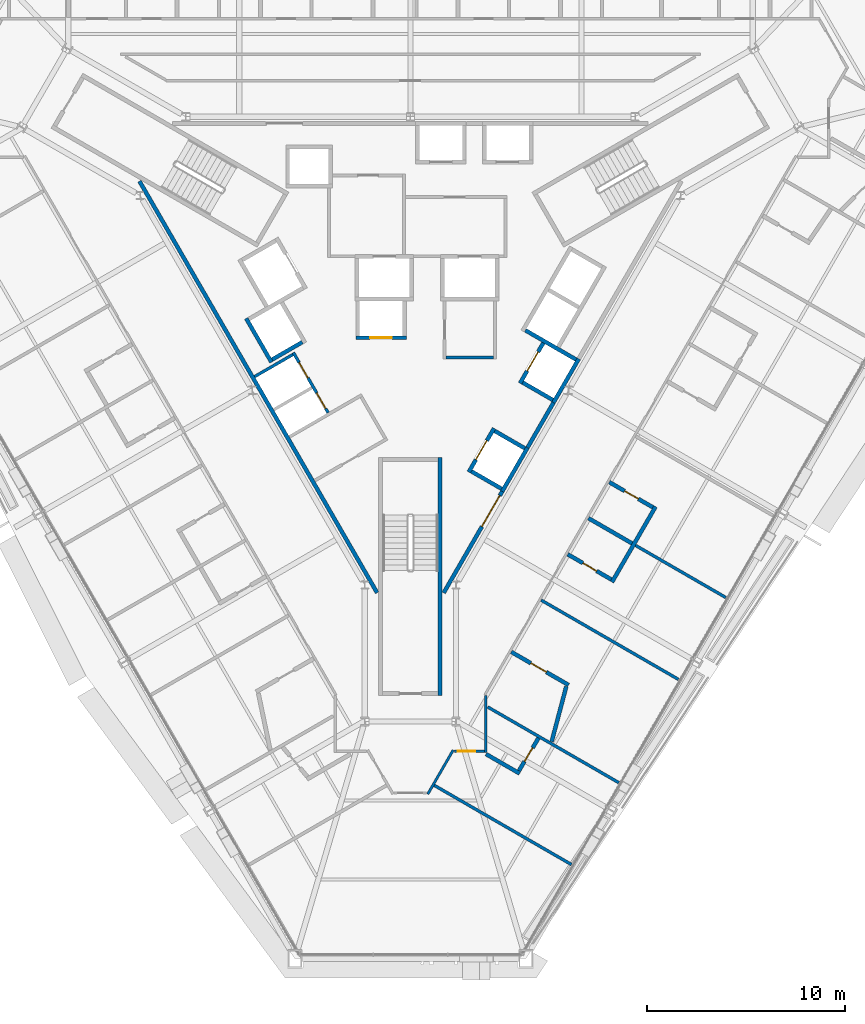
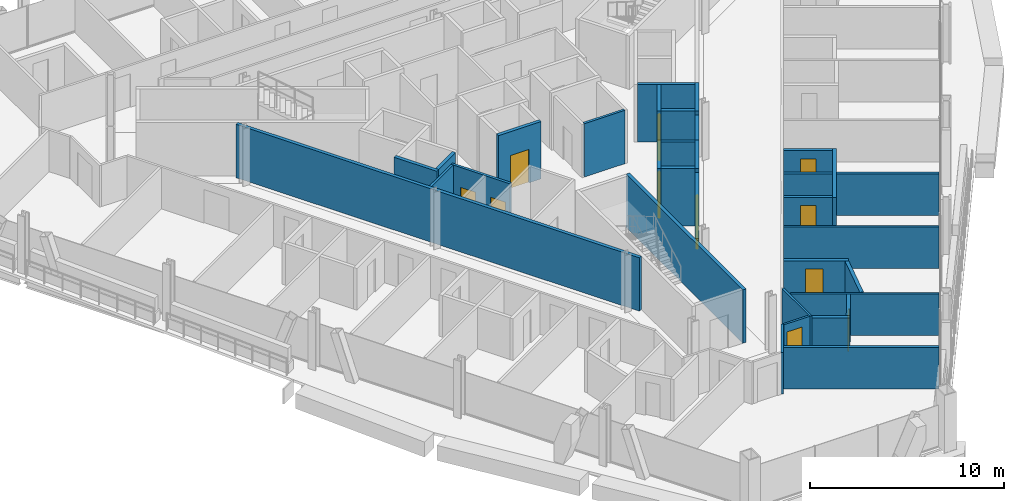
# One storey, part 12 of 18: 33 walls, 11 doors, 11 openings.
"""IFC4 building model written with IfcOpenShell, lengths in metres."""

from ifc_helpers import new_model, si_unit, direction, frame, frame_2d, origin, place, context, subcontext, project, spatial, rectangle, extrude, material, layer, layer_set, type_object, element, fill, save


model = new_model("IFC4")

# Units and contexts
model_context = context("Model", 3, precision=1e-05, world=origin(), true_north=direction((0.0, 1.0)))
body_context = subcontext(model_context, "Body", "Model", "MODEL_VIEW")
ifc_project = project(units=[si_unit("LENGTHUNIT", "METRE"), si_unit("AREAUNIT", "SQUARE_METRE"), si_unit("VOLUMEUNIT", "CUBIC_METRE"), si_unit("PLANEANGLEUNIT", "RADIAN"), si_unit("MASSUNIT", "GRAM", prefix="KILO")], contexts=[model_context])

# Site, building, storey
site_placement = place(None, origin())
site = spatial("IfcSite", under=ifc_project, at=site_placement, CompositionType="ELEMENT")
building_placement = place(site_placement, origin())
building = spatial("IfcBuilding", under=site, at=building_placement, Name="Verrane Prism Tower", CompositionType="ELEMENT")
storey_placement = place(building_placement, frame((0.0, 0.0, 80.0)))
storey = spatial("IfcBuildingStorey", under=building, at=storey_placement, Name="L18", CompositionType="ELEMENT", Elevation=80.0)

# Wall
ifc_material_1 = material(Name="Gypsum board partition", Category="other")
ifc_layer_1 = layer(ifc_material_1, 0.199951171875)
ifc_layer_set_1 = layer_set([ifc_layer_1], Name="CW-200 core boundary wall 2 h")
wall_type_1 = type_object("IfcWallType", Name="CW-200 core boundary wall 2 h", PredefinedType="PARTITIONING", material=ifc_layer_set_1)
wall_1_placement = place(storey_placement, frame((-13.66357421875, 5.946044921875, 0.0), z_axis=(0.0, 0.0, 1.0), x_axis=(0.499994327219, -0.866028678941, 0.0)))
element("IfcWall", 1, at=wall_1_placement, inside=storey, type_object=wall_type_1, Name="Core boundary wall CW3-001", PredefinedType="PARTITIONING", context=body_context, shape_type="SweptSolid", body=[
    extrude(rectangle(XDim=23.967529296875, YDim=0.199951171875, at=frame_2d((11.98388671875, 0.0))), origin(), (0.0, 0.0, 1.0), 3.35009765625),
])

# Wall, opening, door
wall_2_placement = place(storey_placement, frame((1.677490234375, -14.814697265625, 0.0), z_axis=(0.0, 0.0, 1.0), x_axis=(0.49999445743, 0.866028603765, 0.0)))
wall_2 = element("IfcWall", 2, at=wall_2_placement, inside=storey, type_object=wall_type_1, Name="Core boundary wall CW3-003", PredefinedType="PARTITIONING", context=body_context, shape_type="SweptSolid", body=[
    extrude(rectangle(XDim=5.90478515625, YDim=0.199951171875, at=frame_2d((2.952392578125, 0.0))), origin(), (0.0, 0.0, 1.0), 3.35009765625),
])
opening_1_placement = place(wall_2_placement, frame((3.85498046875, 0.0, 0.0)))
opening_1 = element("IfcOpeningElement", 3, at=opening_1_placement, cuts=wall_2, Name="Opening D17517", PredefinedType="OPENING", context=body_context, shape_type="SweptSolid", body=[
    extrude(rectangle(XDim=1.800048828125, YDim=2.10009765625, at=frame_2d((0.89990234375, 1.050048828125))), frame((0.0, 0.10986328125, 0.0), z_axis=(0.0, -1.0, 0.0), x_axis=(1.0, 0.0, 0.0)), (0.0, 0.0, 1.0), 0.219970703125),
])
ifc_material_2 = material(Name="Timber veneered door leaf", Category="wood")
door_type_1 = type_object("IfcDoorType", Name="DR-1800x2100 FD60 double leaf lift lobby", OperationType="NOTDEFINED", PredefinedType="DOOR", material=ifc_material_2)
door_1_placement = place(opening_1_placement, origin())
door_1 = element("IfcDoor", 4, at=door_1_placement, inside=storey, type_object=door_type_1, Name="Lift lobby door D17517", OperationType="DOUBLE_DOOR_SINGLE_SWING", OverallHeight=2.10009765625, OverallWidth=1.800048828125, PredefinedType="DOOR", context=body_context, shape_type="SweptSolid", body=[
    extrude(rectangle(XDim=1.800048828125, YDim=2.10009765625, at=frame_2d((0.89990234375, 1.050048828125))), frame((0.0, 0.02490234375, 0.0), z_axis=(0.0, -1.0, 0.0), x_axis=(1.0, 0.0, 0.0)), (0.0, 0.0, 1.0), 0.050048828125),
])
fill(opening_1, door_1)

# Walls
wall_3_placement = place(storey_placement, frame((5.906005859375, -7.489990234375, 0.0), z_axis=(0.0, 0.0, 1.0), x_axis=(0.500252727967, 0.865879442048, 0.0)))
element("IfcWall", 5, at=wall_3_placement, inside=storey, type_object=wall_type_1, Name="Core boundary wall CW3-005", PredefinedType="PARTITIONING", context=body_context, shape_type="SweptSolid", body=[
    extrude(rectangle(XDim=2.616943359375, YDim=0.199951171875, at=frame_2d((1.30859375, 0.0))), origin(), (0.0, 0.0, 1.0), 3.35009765625),
])
ifc_material_3 = material(Name="Concrete C40/50", Category="concrete")
ifc_layer_2 = layer(ifc_material_3, 0.199951171875)
ifc_layer_set_2 = layer_set([ifc_layer_2], Name="CW-200 stair core wall concrete C40/50 3 h")
wall_type_2 = type_object("IfcWallType", Name="CW-200 stair core wall concrete C40/50 3 h", PredefinedType="PARTITIONING", material=ifc_layer_set_2)
wall_4_placement = place(storey_placement, frame((1.5, -8.0, 0.0), z_axis=(0.0, 0.0, 1.0), x_axis=(0.0, -1.0, 0.0)))
element("IfcWall", 6, at=wall_4_placement, inside=storey, type_object=wall_type_2, Name="Stair 3 enclosure wall", PredefinedType="PARTITIONING", context=body_context, shape_type="SweptSolid", body=[
    extrude(rectangle(XDim=12.0, YDim=0.199951171875, at=frame_2d((6.0, 0.0))), origin(), (0.0, 0.0, 1.0), 3.35009765625),
])

# Wall, opening, door
ifc_material_4 = material(Name="Gypsum board shaft wall assembly", Category="other")
ifc_layer_3 = layer(ifc_material_4, 0.199951171875)
ifc_layer_set_3 = layer_set([ifc_layer_3], Name="HW-200 lift shaft wall 2 h")
wall_type_3 = type_object("IfcWallType", Name="HW-200 lift shaft wall 2 h", PredefinedType="PARTITIONING", material=ifc_layer_set_3)
wall_5_placement = place(storey_placement, frame((-2.7548828125, -1.949951171875, 0.0), z_axis=(0.0, 0.0, 1.0), x_axis=(1.0, 0.0, 0.0)))
wall_5 = element("IfcWall", 7, at=wall_5_placement, inside=storey, type_object=wall_type_3, Name="Lift shaft wall", PredefinedType="PARTITIONING", context=body_context, shape_type="SweptSolid", body=[
    extrude(rectangle(XDim=2.5498046875, YDim=0.199951171875, at=frame_2d((1.27490234375, 0.0))), origin(), (0.0, 0.0, 1.0), 3.60009765625),
])
opening_2_placement = place(wall_5_placement, frame((0.72509765625, 0.0, 0.0)))
opening_2 = element("IfcOpeningElement", 8, at=opening_2_placement, cuts=wall_5, Name="Opening D17504", PredefinedType="OPENING", context=body_context, shape_type="SweptSolid", body=[
    extrude(rectangle(XDim=1.10009765625, YDim=2.10009765625, at=frame_2d((0.550048828125, 1.050048828125))), frame((0.0, 0.10986328125, 0.0), z_axis=(0.0, -1.0, 0.0), x_axis=(1.0, 0.0, 0.0)), (0.0, 0.0, 1.0), 0.219970703125),
])
ifc_material_5 = material(Name="Stainless steel sliding landing door", Category="steel")
door_type_2 = type_object("IfcDoorType", Name="LD-1100x2100 lift landing door FD90 sliding", OperationType="NOTDEFINED", PredefinedType="DOOR", material=ifc_material_5)
door_2_placement = place(opening_2_placement, origin())
door_2 = element("IfcDoor", 9, at=door_2_placement, inside=storey, type_object=door_type_2, Name="Bank A lift 2 landing door", OperationType="SLIDING_TO_RIGHT", OverallHeight=2.10009765625, OverallWidth=1.10009765625, PredefinedType="DOOR", context=body_context, shape_type="SweptSolid", body=[
    extrude(rectangle(XDim=1.10009765625, YDim=2.10009765625, at=frame_2d((0.550048828125, 1.050048828125))), frame((0.0, 0.02490234375, 0.0), z_axis=(0.0, -1.0, 0.0), x_axis=(1.0, 0.0, 0.0)), (0.0, 0.0, 1.0), 0.050048828125),
])
fill(opening_2, door_2)

# Walls
wall_6_placement = place(storey_placement, frame((-6.9697265625, -3.048095703125, 0.0), z_axis=(0.0, 0.0, 1.0), x_axis=(0.866036909293, 0.499980071345, 0.0)))
element("IfcWall", 10, at=wall_6_placement, inside=storey, type_object=wall_type_3, Name="Lift shaft wall", PredefinedType="PARTITIONING", context=body_context, shape_type="SweptSolid", body=[
    extrude(rectangle(XDim=1.75, YDim=0.199951171875, at=frame_2d((0.875, 0.0))), origin(), (0.0, 0.0, 1.0), 3.60009765625),
])
wall_7_placement = place(storey_placement, frame((4.63037109375, -9.69970703125, 0.0), z_axis=(0.0, 0.0, 1.0), x_axis=(0.500062241894, 0.865989465428, 0.0)))
element("IfcWall", 11, at=wall_7_placement, inside=storey, type_object=wall_type_3, Name="Lift shaft wall", PredefinedType="PARTITIONING", context=body_context, shape_type="SweptSolid", body=[
    extrude(rectangle(XDim=2.550048828125, YDim=0.199951171875, at=frame_2d((1.27490234375, 0.0))), origin(), (0.0, 0.0, 1.0), 3.60009765625),
])
wall_8_placement = place(storey_placement, frame((7.215576171875, -5.222412109375, 0.0), z_axis=(0.0, 0.0, 1.0), x_axis=(0.499990435942, 0.866030925526, 0.0)))
element("IfcWall", 12, at=wall_8_placement, inside=storey, type_object=wall_type_3, Name="Lift shaft wall", PredefinedType="PARTITIONING", context=body_context, shape_type="SweptSolid", body=[
    extrude(rectangle(XDim=2.5498046875, YDim=0.199951171875, at=frame_2d((1.27490234375, 0.0))), origin(), (0.0, 0.0, 1.0), 3.60009765625),
])

# Wall, opening, door
wall_9_placement = place(storey_placement, frame((2.941650390625, -8.724853515625, 0.0), z_axis=(0.0, 0.0, 1.0), x_axis=(0.500020783669, 0.866013403995, 0.0)))
wall_9 = element("IfcWall", 13, at=wall_9_placement, inside=storey, type_object=wall_type_3, Name="Lift shaft wall", PredefinedType="PARTITIONING", context=body_context, shape_type="SweptSolid", body=[
    extrude(rectangle(XDim=2.55029296875, YDim=0.199951171875, at=frame_2d((1.275146484375, 0.0))), origin(), (0.0, 0.0, 1.0), 3.60009765625),
])
opening_3_placement = place(wall_9_placement, frame((0.72509765625, 0.0, 0.0)))
opening_3 = element("IfcOpeningElement", 14, at=opening_3_placement, cuts=wall_9, Name="Opening D17506", PredefinedType="OPENING", context=body_context, shape_type="SweptSolid", body=[
    extrude(rectangle(XDim=1.10009765625, YDim=2.10009765625, at=frame_2d((0.550048828125, 1.050048828125))), frame((0.0, 0.10986328125, 0.0), z_axis=(0.0, -1.0, 0.0), x_axis=(1.0, 0.0, 0.0)), (0.0, 0.0, 1.0), 0.219970703125),
])
door_3_placement = place(opening_3_placement, origin())
door_3 = element("IfcDoor", 15, at=door_3_placement, inside=storey, type_object=door_type_2, Name="Bank A lift 4 landing door", OperationType="SLIDING_TO_RIGHT", OverallHeight=2.10009765625, OverallWidth=1.10009765625, PredefinedType="DOOR", context=body_context, shape_type="SweptSolid", body=[
    extrude(rectangle(XDim=1.10009765625, YDim=2.10009765625, at=frame_2d((0.550048828125, 1.050048828125))), frame((0.0, 0.02490234375, 0.0), z_axis=(0.0, -1.0, 0.0), x_axis=(1.0, 0.0, 0.0)), (0.0, 0.0, 1.0), 0.050048828125),
])
fill(opening_3, door_3)

wall_10_placement = place(storey_placement, frame((5.52685546875, -4.247314453125, 0.0), z_axis=(0.0, 0.0, 1.0), x_axis=(0.499938297808, 0.866061024631, 0.0)))
wall_10 = element("IfcWall", 16, at=wall_10_placement, inside=storey, type_object=wall_type_3, Name="Lift shaft wall", PredefinedType="PARTITIONING", context=body_context, shape_type="SweptSolid", body=[
    extrude(rectangle(XDim=2.349853515625, YDim=0.199951171875, at=frame_2d((1.1748046875, 0.0))), origin(), (0.0, 0.0, 1.0), 3.60009765625),
])
opening_4_placement = place(wall_10_placement, frame((0.72509765625, 0.0, 0.0)))
opening_4 = element("IfcOpeningElement", 17, at=opening_4_placement, cuts=wall_10, Name="Opening D17507", PredefinedType="OPENING", context=body_context, shape_type="SweptSolid", body=[
    extrude(rectangle(XDim=1.10009765625, YDim=2.10009765625, at=frame_2d((0.550048828125, 1.050048828125))), frame((0.0, 0.10986328125, 0.0), z_axis=(0.0, -1.0, 0.0), x_axis=(1.0, 0.0, 0.0)), (0.0, 0.0, 1.0), 0.219970703125),
])
door_4_placement = place(opening_4_placement, origin())
door_4 = element("IfcDoor", 18, at=door_4_placement, inside=storey, type_object=door_type_2, Name="Bank A lift 5 landing door", OperationType="SLIDING_TO_LEFT", OverallHeight=2.10009765625, OverallWidth=1.10009765625, PredefinedType="DOOR", context=body_context, shape_type="SweptSolid", body=[
    extrude(rectangle(XDim=1.10009765625, YDim=2.10009765625, at=frame_2d((0.550048828125, 1.050048828125))), frame((0.0, 0.02490234375, 0.0), z_axis=(0.0, -1.0, 0.0), x_axis=(1.0, 0.0, 0.0)), (0.0, 0.0, 1.0), 0.050048828125),
])
fill(opening_4, door_4)

# Walls
wall_11_placement = place(storey_placement, frame((-7.00634765625, -3.184814453125, 0.0), z_axis=(0.0, 0.0, 1.0), x_axis=(-0.499990435942, 0.866030925526, 0.0)))
element("IfcWall", 19, at=wall_11_placement, inside=storey, type_object=wall_type_3, Name="Lift shaft wall", PredefinedType="PARTITIONING", context=body_context, shape_type="SweptSolid", body=[
    extrude(rectangle(XDim=2.5498046875, YDim=0.199951171875, at=frame_2d((1.27490234375, 0.0))), origin(), (0.0, 0.0, 1.0), 3.60009765625),
])
wall_12_placement = place(storey_placement, frame((8.35400390625, -3.050537109375, 0.0), z_axis=(0.0, 0.0, 1.0), x_axis=(-0.866060182126, 0.499939757307, 0.0)))
element("IfcWall", 20, at=wall_12_placement, inside=storey, type_object=wall_type_3, Name="Lift shaft wall", PredefinedType="PARTITIONING", context=body_context, shape_type="SweptSolid", body=[
    extrude(rectangle(XDim=2.949951171875, YDim=0.199951171875, at=frame_2d((1.47509765625, 0.0))), origin(), (0.0, 0.0, 1.0), 3.60009765625),
])
wall_13_placement = place(storey_placement, frame((7.178955078125, -5.085693359375, 0.0), z_axis=(0.0, 0.0, 1.0), x_axis=(-0.866036909293, 0.499980071345, 0.0)))
element("IfcWall", 21, at=wall_13_placement, inside=storey, type_object=wall_type_3, Name="Lift shaft wall", PredefinedType="PARTITIONING", context=body_context, shape_type="SweptSolid", body=[
    extrude(rectangle(XDim=1.75, YDim=0.199951171875, at=frame_2d((0.875, 0.0))), origin(), (0.0, 0.0, 1.0), 3.60009765625),
])
wall_14_placement = place(storey_placement, frame((5.768798828125, -7.528076171875, 0.0), z_axis=(0.0, 0.0, 1.0), x_axis=(-0.866002029911, 0.500040482552, 0.0)))
element("IfcWall", 22, at=wall_14_placement, inside=storey, type_object=wall_type_3, Name="Lift shaft wall", PredefinedType="PARTITIONING", context=body_context, shape_type="SweptSolid", body=[
    extrude(rectangle(XDim=1.749755859375, YDim=0.199951171875, at=frame_2d((0.875, 0.0))), origin(), (0.0, 0.0, 1.0), 3.60009765625),
])
wall_15_placement = place(storey_placement, frame((4.593994140625, -9.563232421875, 0.0), z_axis=(0.0, 0.0, 1.0), x_axis=(-0.866036909293, 0.499980071345, 0.0)))
element("IfcWall", 23, at=wall_15_placement, inside=storey, type_object=wall_type_3, Name="Lift shaft wall", PredefinedType="PARTITIONING", context=body_context, shape_type="SweptSolid", body=[
    extrude(rectangle(XDim=1.75, YDim=0.199951171875, at=frame_2d((0.875, 0.0))), origin(), (0.0, 0.0, 1.0), 3.60009765625),
])
ifc_material_6 = material(Name="Gypsum board partition", Category="other")
ifc_layer_4 = layer(ifc_material_6, 0.125)
ifc_layer_set_4 = layer_set([ifc_layer_4], Name="PW-125 corridor wall 1 h")
wall_type_4 = type_object("IfcWallType", Name="PW-125 corridor wall 1 h", PredefinedType="PARTITIONING", material=ifc_layer_set_4)
wall_16_placement = place(storey_placement, frame((0.876708984375, -24.962158203125, 0.0), z_axis=(0.0, 0.0, 1.0), x_axis=(0.500063308241, 0.865988849669, 0.0)))
element("IfcWall", 24, at=wall_16_placement, inside=storey, type_object=wall_type_4, Name="Corridor wall 049", PredefinedType="PARTITIONING", context=body_context, shape_type="SweptSolid", body=[
    extrude(rectangle(XDim=2.562744140625, YDim=0.125, at=frame_2d((1.28125, 0.0))), origin(), (0.0, 0.0, 1.0), 2.613037109375),
])

# Wall, opening, door
wall_17_placement = place(storey_placement, frame((3.73193359375, -22.797119140625, 0.0), z_axis=(0.0, 0.0, 1.0), x_axis=(-1.0, 0.0, 0.0)))
wall_17 = element("IfcWall", 25, at=wall_17_placement, inside=storey, type_object=wall_type_4, Name="Corridor wall 051", PredefinedType="PARTITIONING", context=body_context, shape_type="SweptSolid", body=[
    extrude(rectangle(XDim=1.52001953125, YDim=0.125, at=frame_2d((0.760009765625, 0.0))), origin(), (0.0, 0.0, 1.0), 2.613037109375),
])
opening_5_placement = place(wall_17_placement, frame((0.455078125, 0.0, 0.0)))
opening_5 = element("IfcOpeningElement", 26, at=opening_5_placement, cuts=wall_17, Name="Opening D17001", PredefinedType="OPENING", context=body_context, shape_type="SweptSolid", body=[
    extrude(rectangle(XDim=0.89990234375, YDim=2.10009765625, at=frame_2d((0.449951171875, 1.050048828125))), frame((0.0, 0.072509765625, 0.0), z_axis=(0.0, -1.0, 0.0), x_axis=(1.0, 0.0, 0.0)), (0.0, 0.0, 1.0), 0.14501953125),
])
ifc_material_7 = material(Name="Timber veneered door leaf", Category="wood")
door_type_3 = type_object("IfcDoorType", Name="DR-900x2100 FD20 single leaf unit", OperationType="NOTDEFINED", PredefinedType="DOOR", material=ifc_material_7)
door_5_placement = place(opening_5_placement, origin())
door_5 = element("IfcDoor", 27, at=door_5_placement, inside=storey, type_object=door_type_3, Name="Guest Room door", OperationType="SINGLE_SWING_LEFT", OverallHeight=2.10009765625, OverallWidth=0.89990234375, PredefinedType="DOOR", context=body_context, shape_type="SweptSolid", body=[
    extrude(rectangle(XDim=0.89990234375, YDim=2.10009765625, at=frame_2d((0.449951171875, 1.050048828125))), frame((0.0, 0.02490234375, 0.0), z_axis=(0.0, -1.0, 0.0), x_axis=(1.0, 0.0, 0.0)), (0.0, 0.0, 1.0), 0.050048828125),
])
fill(opening_5, door_5)

# Walls
wall_18_placement = place(storey_placement, frame((3.797119140625, -22.859619140625, 0.0), z_axis=(0.0, 0.0, 1.0), x_axis=(0.0, 1.0, 0.0)))
element("IfcWall", 28, at=wall_18_placement, inside=storey, type_object=wall_type_4, Name="Corridor wall 054", PredefinedType="PARTITIONING", context=body_context, shape_type="SweptSolid", body=[
    extrude(rectangle(XDim=2.87060546875, YDim=0.125, at=frame_2d((1.435302734375, 0.0))), origin(), (0.0, 0.0, 1.0), 2.613037109375),
])
ifc_material_8 = material(Name="Gypsum board partition", Category="other")
ifc_layer_5 = layer(ifc_material_8, 0.14990234375)
ifc_layer_set_5 = layer_set([ifc_layer_5], Name="PW-150 demising wall 1 h")
wall_type_5 = type_object("IfcWallType", Name="PW-150 demising wall 1 h", PredefinedType="PARTITIONING", material=ifc_layer_set_5)
wall_19_placement = place(storey_placement, frame((1.203125, -24.522216796875, 0.0), z_axis=(0.0, 0.0, 1.0), x_axis=(0.866021771655, -0.500006290979, 0.0)))
element("IfcWall", 29, at=wall_19_placement, inside=storey, type_object=wall_type_5, Name="Demising wall 050", PredefinedType="PARTITIONING", context=body_context, shape_type="SweptSolid", body=[
    extrude(rectangle(XDim=7.99169921875, YDim=0.14990234375, at=frame_2d((3.995849609375, 0.0))), origin(), (0.0, 0.0, 1.0), 2.613037109375),
])
wall_20_placement = place(storey_placement, frame((3.89697265625, -20.56982421875, 0.0), z_axis=(0.0, 0.0, 1.0), x_axis=(0.866030628547, -0.499990950336, 0.0)))
element("IfcWall", 30, at=wall_20_placement, inside=storey, type_object=wall_type_5, Name="Demising wall 055", PredefinedType="PARTITIONING", context=body_context, shape_type="SweptSolid", body=[
    extrude(rectangle(XDim=7.635009765625, YDim=0.14990234375, at=frame_2d((3.8173828125, 0.0))), origin(), (0.0, 0.0, 1.0), 2.613037109375),
])
wall_21_placement = place(storey_placement, frame((6.59521484375, -15.183349609375, 0.0), z_axis=(0.0, 0.0, 1.0), x_axis=(0.866014133745, -0.500019519773, 0.0)))
element("IfcWall", 31, at=wall_21_placement, inside=storey, type_object=wall_type_5, Name="Demising wall 060", PredefinedType="PARTITIONING", context=body_context, shape_type="SweptSolid", body=[
    extrude(rectangle(XDim=7.991455078125, YDim=0.14990234375, at=frame_2d((3.99560546875, 0.0))), origin(), (0.0, 0.0, 1.0), 2.613037109375),
])
wall_22_placement = place(storey_placement, frame((11.35498046875, -12.423583984375, 0.0), z_axis=(0.0, 0.0, 1.0), x_axis=(0.866030680601, -0.499990860175, 0.0)))
element("IfcWall", 32, at=wall_22_placement, inside=storey, type_object=wall_type_5, Name="Demising wall 070", PredefinedType="PARTITIONING", context=body_context, shape_type="SweptSolid", body=[
    extrude(rectangle(XDim=5.2490234375, YDim=0.14990234375, at=frame_2d((2.62451171875, 0.0))), origin(), (0.0, 0.0, 1.0), 2.613037109375),
])
ifc_material_9 = material(Name="Gypsum board partition", Category="other")
ifc_layer_6 = layer(ifc_material_9, 0.199951171875)
ifc_layer_set_6 = layer_set([ifc_layer_6], Name="PW-200 plumbing wall")
wall_type_6 = type_object("IfcWallType", Name="PW-200 plumbing wall", PredefinedType="PARTITIONING", material=ifc_layer_set_6)
wall_23_placement = place(storey_placement, frame((3.813232421875, -22.946044921875, 0.0), z_axis=(0.0, 0.0, 1.0), x_axis=(0.865944380701, -0.500140309845, 0.0)))
element("IfcWall", 33, at=wall_23_placement, inside=storey, type_object=wall_type_6, Name="Plumbing wall 053", PredefinedType="PARTITIONING", context=body_context, shape_type="SweptSolid", body=[
    extrude(rectangle(XDim=1.95556640625, YDim=0.199951171875, at=frame_2d((0.977783203125, 0.0))), origin(), (0.0, 0.0, 1.0), 2.613037109375),
])

# Wall, opening, door
wall_24_placement = place(storey_placement, frame((7.978515625, -19.4619140625, 0.0), z_axis=(0.0, 0.0, 1.0), x_axis=(-0.866033317326, 0.499986293093, 0.0)))
wall_24 = element("IfcWall", 34, at=wall_24_placement, inside=storey, type_object=wall_type_6, Name="Plumbing wall 058", PredefinedType="PARTITIONING", context=body_context, shape_type="SweptSolid", body=[
    extrude(rectangle(XDim=3.33740234375, YDim=0.199951171875, at=frame_2d((1.668701171875, 0.0))), origin(), (0.0, 0.0, 1.0), 2.613037109375),
])
opening_6_placement = place(wall_24_placement, frame((1.300048828125, 0.0, 0.0)))
opening_6 = element("IfcOpeningElement", 35, at=opening_6_placement, cuts=wall_24, Name="Opening D17004", PredefinedType="OPENING", context=body_context, shape_type="SweptSolid", body=[
    extrude(rectangle(XDim=0.89990234375, YDim=2.10009765625, at=frame_2d((0.449951171875, 1.050048828125))), frame((0.0, 0.10986328125, 0.0), z_axis=(0.0, -1.0, 0.0), x_axis=(1.0, 0.0, 0.0)), (0.0, 0.0, 1.0), 0.219970703125),
])
ifc_material_10 = material(Name="Timber veneered door leaf", Category="wood")
door_type_4 = type_object("IfcDoorType", Name="DR-900x2100 single leaf bath", OperationType="NOTDEFINED", PredefinedType="DOOR", material=ifc_material_10)
door_6_placement = place(opening_6_placement, origin())
door_6 = element("IfcDoor", 36, at=door_6_placement, inside=storey, type_object=door_type_4, Name="En-Suite door", OperationType="SINGLE_SWING_LEFT", OverallHeight=2.10009765625, OverallWidth=0.89990234375, PredefinedType="DOOR", context=body_context, shape_type="SweptSolid", body=[
    extrude(rectangle(XDim=0.89990234375, YDim=2.10009765625, at=frame_2d((0.449951171875, 1.050048828125))), frame((0.0, 0.02490234375, 0.0), z_axis=(0.0, -1.0, 0.0), x_axis=(1.0, 0.0, 0.0)), (0.0, 0.0, 1.0), 0.050048828125),
])
fill(opening_6, door_6)

wall_25_placement = place(storey_placement, frame((5.473876953125, -23.783935546875, 0.0), z_axis=(0.0, 0.0, 1.0), x_axis=(0.512791921509, 0.858512926656, 0.0)))
wall_25 = element("IfcWall", 37, at=wall_25_placement, inside=storey, type_object=wall_type_6, Name="Plumbing wall 059", PredefinedType="PARTITIONING", context=body_context, shape_type="SweptSolid", body=[
    extrude(rectangle(XDim=1.918701171875, YDim=0.199951171875, at=frame_2d((0.95947265625, 0.0))), origin(), (0.0, 0.0, 1.0), 2.613037109375),
])
opening_7_placement = place(wall_25_placement, frame((0.544921875, 0.0, 0.0)))
opening_7 = element("IfcOpeningElement", 38, at=opening_7_placement, cuts=wall_25, Name="Opening D17002", PredefinedType="OPENING", context=body_context, shape_type="SweptSolid", body=[
    extrude(rectangle(XDim=0.800048828125, YDim=2.10009765625, at=frame_2d((0.39990234375, 1.050048828125))), frame((0.0, 0.10986328125, 0.0), z_axis=(0.0, -1.0, 0.0), x_axis=(1.0, 0.0, 0.0)), (0.0, 0.0, 1.0), 0.219970703125),
])
ifc_material_11 = material(Name="Timber veneered door leaf", Category="wood")
door_type_5 = type_object("IfcDoorType", Name="DR-800x2100 single leaf bath", OperationType="NOTDEFINED", PredefinedType="DOOR", material=ifc_material_11)
door_7_placement = place(opening_7_placement, origin())
door_7 = element("IfcDoor", 39, at=door_7_placement, inside=storey, type_object=door_type_5, Name="En-Suite door", OperationType="SINGLE_SWING_LEFT", OverallHeight=2.10009765625, OverallWidth=0.800048828125, PredefinedType="DOOR", context=body_context, shape_type="SweptSolid", body=[
    extrude(rectangle(XDim=0.800048828125, YDim=2.10009765625, at=frame_2d((0.39990234375, 1.050048828125))), frame((0.0, 0.02490234375, 0.0), z_axis=(0.0, -1.0, 0.0), x_axis=(1.0, 0.0, 0.0)), (0.0, 0.0, 1.0), 0.050048828125),
])
fill(opening_7, door_7)

# Wall
wall_26_placement = place(storey_placement, frame((7.123779296875, -22.316650390625, 0.0), z_axis=(0.0, 0.0, 1.0), x_axis=(0.255720101769, 0.966750862193, 0.0)))
element("IfcWall", 40, at=wall_26_placement, inside=storey, type_object=wall_type_6, Name="Plumbing wall 061", PredefinedType="PARTITIONING", context=body_context, shape_type="SweptSolid", body=[
    extrude(rectangle(XDim=2.87939453125, YDim=0.199951171875, at=frame_2d((1.439697265625, 0.0))), origin(), (0.0, 0.0, 1.0), 2.613037109375),
])

# Wall, opening, door
wall_27_placement = place(storey_placement, frame((7.9345703125, -12.872802734375, 0.0), z_axis=(0.0, 0.0, 1.0), x_axis=(0.866015388607, -0.500017346395, 0.0)))
wall_27 = element("IfcWall", 41, at=wall_27_placement, inside=storey, type_object=wall_type_6, Name="Plumbing wall 064", PredefinedType="PARTITIONING", context=body_context, shape_type="SweptSolid", body=[
    extrude(rectangle(XDim=2.5322265625, YDim=0.199951171875, at=frame_2d((1.26611328125, 0.0))), origin(), (0.0, 0.0, 1.0), 2.613037109375),
])
opening_8_placement = place(wall_27_placement, frame((0.882568359375, 0.0, 0.0)))
opening_8 = element("IfcOpeningElement", 42, at=opening_8_placement, cuts=wall_27, Name="Opening D17006", PredefinedType="OPENING", context=body_context, shape_type="SweptSolid", body=[
    extrude(rectangle(XDim=0.800048828125, YDim=2.10009765625, at=frame_2d((0.39990234375, 1.050048828125))), frame((0.0, 0.10986328125, 0.0), z_axis=(0.0, -1.0, 0.0), x_axis=(1.0, 0.0, 0.0)), (0.0, 0.0, 1.0), 0.219970703125),
])
door_8_placement = place(opening_8_placement, origin())
door_8 = element("IfcDoor", 43, at=door_8_placement, inside=storey, type_object=door_type_5, Name="En-Suite door", OperationType="SINGLE_SWING_LEFT", OverallHeight=2.10009765625, OverallWidth=0.800048828125, PredefinedType="DOOR", context=body_context, shape_type="SweptSolid", body=[
    extrude(rectangle(XDim=0.800048828125, YDim=2.10009765625, at=frame_2d((0.39990234375, 1.050048828125))), frame((0.0, 0.02490234375, 0.0), z_axis=(0.0, -1.0, 0.0), x_axis=(1.0, 0.0, 0.0)), (0.0, 0.0, 1.0), 0.050048828125),
])
fill(opening_8, door_8)

# Wall
wall_28_placement = place(storey_placement, frame((8.980224609375, -11.05224609375, 0.0), z_axis=(0.0, 0.0, 1.0), x_axis=(0.865990087344, -0.500061164881, 0.0)))
element("IfcWall", 44, at=wall_28_placement, inside=storey, type_object=wall_type_6, Name="Plumbing wall 065", PredefinedType="PARTITIONING", context=body_context, shape_type="SweptSolid", body=[
    extrude(rectangle(XDim=2.537353515625, YDim=0.199951171875, at=frame_2d((1.2685546875, 0.0))), origin(), (0.0, 0.0, 1.0), 2.613037109375),
])

# Wall, opening, door
wall_29_placement = place(storey_placement, frame((12.228271484375, -10.501953125, 0.0), z_axis=(0.0, 0.0, 1.0), x_axis=(-0.866111763775, 0.499850390267, 0.0)))
wall_29 = element("IfcWall", 45, at=wall_29_placement, inside=storey, type_object=wall_type_6, Name="Plumbing wall 068", PredefinedType="PARTITIONING", context=body_context, shape_type="SweptSolid", body=[
    extrude(rectangle(XDim=2.532958984375, YDim=0.199951171875, at=frame_2d((1.2666015625, 0.0))), origin(), (0.0, 0.0, 1.0), 2.613037109375),
])
opening_9_placement = place(wall_29_placement, frame((0.8505859375, 0.0, 0.0)))
opening_9 = element("IfcOpeningElement", 46, at=opening_9_placement, cuts=wall_29, Name="Opening D17008", PredefinedType="OPENING", context=body_context, shape_type="SweptSolid", body=[
    extrude(rectangle(XDim=0.800048828125, YDim=2.10009765625, at=frame_2d((0.39990234375, 1.050048828125))), frame((0.0, 0.10986328125, 0.0), z_axis=(0.0, -1.0, 0.0), x_axis=(1.0, 0.0, 0.0)), (0.0, 0.0, 1.0), 0.219970703125),
])
door_9_placement = place(opening_9_placement, origin())
door_9 = element("IfcDoor", 47, at=door_9_placement, inside=storey, type_object=door_type_5, Name="En-Suite door", OperationType="SINGLE_SWING_LEFT", OverallHeight=2.10009765625, OverallWidth=0.800048828125, PredefinedType="DOOR", context=body_context, shape_type="SweptSolid", body=[
    extrude(rectangle(XDim=0.800048828125, YDim=2.10009765625, at=frame_2d((0.39990234375, 1.050048828125))), frame((0.0, 0.02490234375, 0.0), z_axis=(0.0, -1.0, 0.0), x_axis=(1.0, 0.0, 0.0)), (0.0, 0.0, 1.0), 0.050048828125),
])
fill(opening_9, door_9)

# Walls
wall_30_placement = place(storey_placement, frame((10.1640625, -14.275634765625, 0.0), z_axis=(0.0, 0.0, 1.0), x_axis=(0.50017868667, 0.865922214405, 0.0)))
element("IfcWall", 48, at=wall_30_placement, inside=storey, type_object=wall_type_6, Name="Plumbing wall 069", PredefinedType="PARTITIONING", context=body_context, shape_type="SweptSolid", body=[
    extrude(rectangle(XDim=4.400390625, YDim=0.199951171875, at=frame_2d((2.2001953125, 0.0))), origin(), (0.0, 0.0, 1.0), 2.613037109375),
])
ifc_material_12 = material(Name="Gypsum board partition", Category="other")
ifc_layer_7 = layer(ifc_material_12, 0.14990234375)
ifc_layer_set_7 = layer_set([ifc_layer_7], Name="RS-150 riser enclosure wall 1 h")
wall_type_7 = type_object("IfcWallType", Name="RS-150 riser enclosure wall 1 h", PredefinedType="PARTITIONING", material=ifc_layer_set_7)
wall_31_placement = place(storey_placement, frame((-7.8564453125, -3.912109375, 0.0), z_axis=(0.0, 0.0, 1.0), x_axis=(0.865971748, 0.500092923031, 0.0)))
element("IfcWall", 49, at=wall_31_placement, inside=storey, type_object=wall_type_7, Name="Riser wall RS3-001", PredefinedType="PARTITIONING", context=body_context, shape_type="SweptSolid", body=[
    extrude(rectangle(XDim=2.224609375, YDim=0.14990234375, at=frame_2d((1.1123046875, 0.0))), origin(), (0.0, 0.0, 1.0), 3.35009765625),
])

# Wall, openings, doors
wall_32_placement = place(storey_placement, frame((-4.152099609375, -5.728759765625, 0.0), z_axis=(0.0, 0.0, 1.0), x_axis=(-0.500024287448, 0.866011380966, 0.0)))
wall_32 = element("IfcWall", 50, at=wall_32_placement, inside=storey, type_object=wall_type_7, Name="Riser wall RS3-004", PredefinedType="PARTITIONING", context=body_context, shape_type="SweptSolid", body=[
    extrude(rectangle(XDim=3.500732421875, YDim=0.14990234375, at=frame_2d((1.75048828125, 0.0))), origin(), (0.0, 0.0, 1.0), 3.35009765625),
])
opening_10_placement = place(wall_32_placement, frame((2.025634765625, 0.0, 0.0)))
opening_10 = element("IfcOpeningElement", 51, at=opening_10_placement, cuts=wall_32, Name="Opening D17512", PredefinedType="OPENING", context=body_context, shape_type="SweptSolid", body=[
    extrude(rectangle(XDim=0.89990234375, YDim=2.10009765625, at=frame_2d((0.449951171875, 1.050048828125))), frame((0.0, 0.0849609375, 0.0), z_axis=(0.0, -1.0, 0.0), x_axis=(1.0, 0.0, 0.0)), (0.0, 0.0, 1.0), 0.169921875),
])
opening_11_placement = place(wall_32_placement, frame((0.247802734375, 0.0, 0.0)))
opening_11 = element("IfcOpeningElement", 52, at=opening_11_placement, cuts=wall_32, Name="Opening D17513", PredefinedType="OPENING", context=body_context, shape_type="SweptSolid", body=[
    extrude(rectangle(XDim=0.89990234375, YDim=2.10009765625, at=frame_2d((0.449951171875, 1.050048828125))), frame((0.0, 0.0849609375, 0.0), z_axis=(0.0, -1.0, 0.0), x_axis=(1.0, 0.0, 0.0)), (0.0, 0.0, 1.0), 0.169921875),
])
ifc_material_13 = material(Name="Timber veneered door leaf", Category="wood")
door_type_6 = type_object("IfcDoorType", Name="DR-900x2100 FD60 single leaf riser", OperationType="NOTDEFINED", PredefinedType="DOOR", material=ifc_material_13)
door_10_placement = place(opening_10_placement, origin())
door_10 = element("IfcDoor", 53, at=door_10_placement, inside=storey, type_object=door_type_6, Name="Riser door D17512", OperationType="SINGLE_SWING_RIGHT", OverallHeight=2.10009765625, OverallWidth=0.89990234375, PredefinedType="DOOR", context=body_context, shape_type="SweptSolid", body=[
    extrude(rectangle(XDim=0.89990234375, YDim=2.10009765625, at=frame_2d((0.449951171875, 1.050048828125))), frame((0.0, 0.02490234375, 0.0), z_axis=(0.0, -1.0, 0.0), x_axis=(1.0, 0.0, 0.0)), (0.0, 0.0, 1.0), 0.050048828125),
])
fill(opening_10, door_10)
door_11_placement = place(opening_11_placement, origin())
door_11 = element("IfcDoor", 54, at=door_11_placement, inside=storey, type_object=door_type_6, Name="Riser door D17513", OperationType="SINGLE_SWING_LEFT", OverallHeight=2.10009765625, OverallWidth=0.89990234375, PredefinedType="DOOR", context=body_context, shape_type="SweptSolid", body=[
    extrude(rectangle(XDim=0.89990234375, YDim=2.10009765625, at=frame_2d((0.449951171875, 1.050048828125))), frame((0.0, 0.02490234375, 0.0), z_axis=(0.0, -1.0, 0.0), x_axis=(1.0, 0.0, 0.0)), (0.0, 0.0, 1.0), 0.050048828125),
])
fill(opening_11, door_11)

# Wall
wall_33_placement = place(storey_placement, frame((1.800048828125, -2.949951171875, 0.0), z_axis=(0.0, 0.0, 1.0), x_axis=(1.0, 0.0, 0.0)))
element("IfcWall", 55, at=wall_33_placement, inside=storey, type_object=wall_type_7, Name="Riser wall RS3-008", PredefinedType="PARTITIONING", context=body_context, shape_type="SweptSolid", body=[
    extrude(rectangle(XDim=2.39990234375, YDim=0.14990234375, at=frame_2d((1.199951171875, 0.0))), origin(), (0.0, 0.0, 1.0), 3.35009765625),
])

save(model, "model.ifc")
